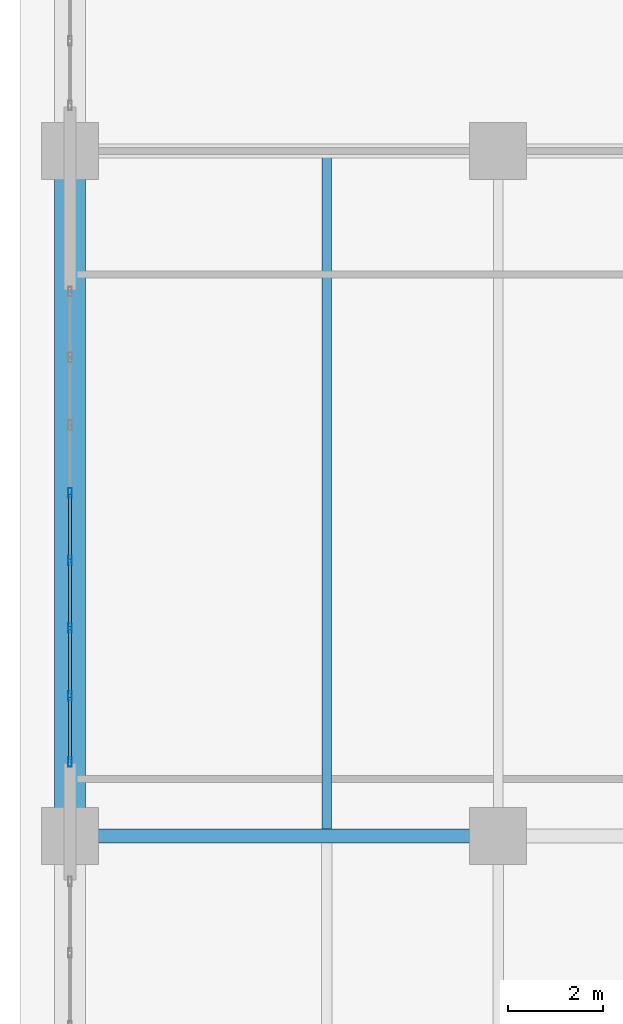
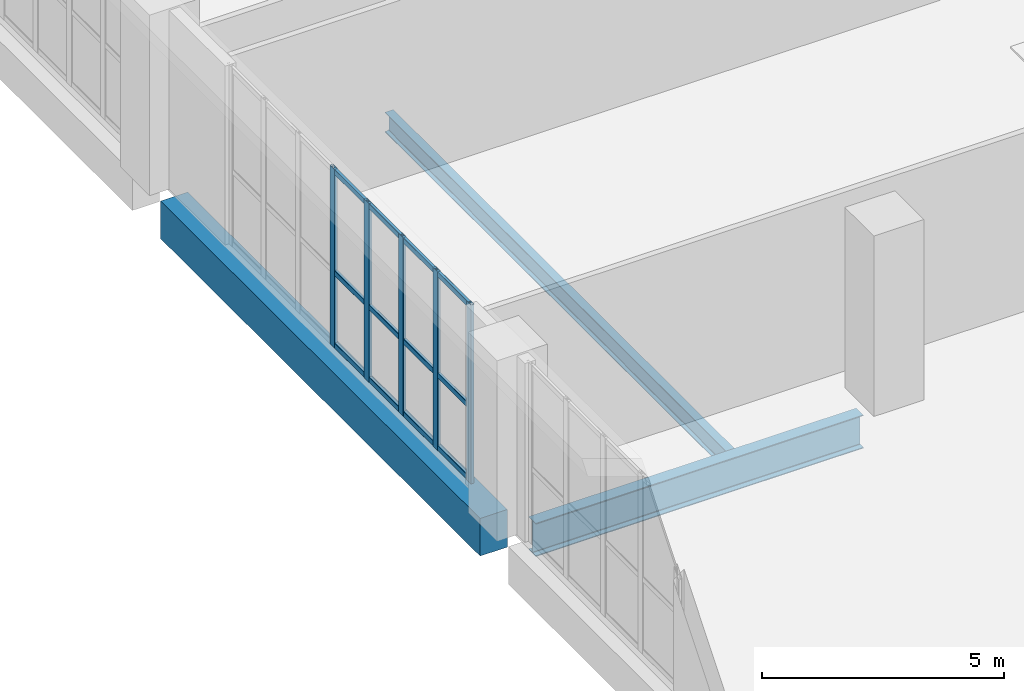
# One storey, part 7 of 37: 17 members, 3 beams, 1 element without a shape of its own.
"""IFC4 building model written with IfcOpenShell, lengths in metres."""

from ifc_helpers import new_model, si_unit, direction, frame, origin, origin_2d, place, context, subcontext, project, spatial, rectangle, hollow_rectangle, i_section, extrude, material, layer, layer_set, material_profile, profile_set, type_object, element, aggregate, save


model = new_model("IFC4")

# Units and contexts
model_context = context("Model", 3, precision=1e-05, world=origin(), true_north=direction((0.0, 1.0)))
body_context = subcontext(model_context, "Body", "Model", "MODEL_VIEW")
ifc_project = project(units=[si_unit("LENGTHUNIT", "METRE"), si_unit("AREAUNIT", "SQUARE_METRE"), si_unit("VOLUMEUNIT", "CUBIC_METRE"), si_unit("PLANEANGLEUNIT", "RADIAN"), si_unit("MASSUNIT", "GRAM", prefix="KILO")], contexts=[model_context])

# Site, building, storey
site_placement = place(None, origin())
site = spatial("IfcSite", under=ifc_project, at=site_placement, CompositionType="ELEMENT")
building_placement = place(site_placement, origin())
building = spatial("IfcBuilding", under=site, at=building_placement, Name="Kaelvorn Grand Hotel", CompositionType="ELEMENT")
storey_placement = place(building_placement, frame((0.0, 0.0, 130.550048828125)))
storey = spatial("IfcBuildingStorey", under=building, at=storey_placement, Name="L31", CompositionType="ELEMENT", Elevation=130.550048828125)

# Beams
ifc_material_1 = material(Name="Steel S355", Category="steel")
ifc_material_profile_1 = material_profile(ifc_material_1, i_section(OverallWidth=0.29248046875, OverallDepth=0.8408203125, WebThickness=0.0146484375, FlangeThickness=0.021728515625, FilletRadius=0.017822265625, at=origin_2d()), Name="UB 838x292x194")
ifc_profile_set_1 = profile_set([ifc_material_profile_1], Name="Steel S355")
beam_type_1 = type_object("IfcBeamType", Name="BM-G-UB838-S355", PredefinedType="BEAM", material=ifc_profile_set_1)
beam_1_placement = place(storey_placement, frame((0.5849609375, 15.0, -0.660400390625), z_axis=(1.0, 0.0, 0.0), x_axis=(0.0, 1.0, 0.0)))
element("IfcBeam", 1, at=beam_1_placement, inside=storey, type_object=beam_type_1, Name="L31 Primary Spine Steel Girder G-15 01", PredefinedType="BEAM", context=body_context, shape_type="SweptSolid", body=[
    extrude(i_section(OverallWidth=0.29248046875, OverallDepth=0.8408203125, WebThickness=0.0146484375, FlangeThickness=0.021728515625, FilletRadius=0.017822265625, at=origin_2d()), origin(), (0.0, 0.0, 1.0), 7.830078125),
])
ifc_material_profile_2 = material_profile(ifc_material_1, i_section(OverallWidth=0.199951171875, OverallDepth=0.5, WebThickness=0.01025390625, FlangeThickness=0.01611328125, FilletRadius=0.02099609375, at=origin_2d()), Name="IPE 500")
ifc_profile_set_2 = profile_set([ifc_material_profile_2], Name="Steel S355")
beam_type_2 = type_object("IfcBeamType", Name="BM-J-IPE500-S355", PredefinedType="JOIST", material=ifc_profile_set_2)
beam_2_placement = place(storey_placement, frame((5.39990234375, 15.131103515625, -0.489990234375), z_axis=(0.0, 1.0, 0.0), x_axis=(-1.0, 0.0, 0.0)))
element("IfcBeam", 2, at=beam_2_placement, inside=storey, type_object=beam_type_2, Name="L31 Composite Floor Joist JM-02", PredefinedType="JOIST", context=body_context, shape_type="SweptSolid", body=[
    extrude(i_section(OverallWidth=0.199951171875, OverallDepth=0.5, WebThickness=0.01025390625, FlangeThickness=0.01611328125, FilletRadius=0.02099609375, at=origin_2d()), origin(), (0.0, 0.0, 1.0), 14.1376953125),
])
ifc_material_2 = material(Name="Concrete C60/75", Category="concrete")
ifc_material_profile_3 = material_profile(ifc_material_2, rectangle(XDim=0.64990234375, YDim=0.949951171875, at=origin_2d()), Name="RC SPANDREL 650x950")
ifc_profile_set_3 = profile_set([ifc_material_profile_3], Name="Concrete C60/75")
beam_type_3 = type_object("IfcBeamType", Name="BM-SP-650x950-C60", PredefinedType="SPANDREL", material=ifc_profile_set_3)
beam_3_placement = place(storey_placement, frame((0.0, 15.5849609375, -0.715087890625), z_axis=(0.0, 1.0, 0.0), x_axis=(-1.0, 0.0, 0.0)))
element("IfcBeam", 3, at=beam_3_placement, inside=storey, type_object=beam_type_3, Name="L31 West Perimeter Spandrel 02", PredefinedType="SPANDREL", context=body_context, shape_type="SweptSolid", body=[
    extrude(rectangle(XDim=0.64990234375, YDim=0.949951171875, at=origin_2d()), origin(), (0.0, 0.0, 1.0), 13.22998046875),
])

# Curtain wall, members
ifc_material_3 = material(Name="Anodised Aluminium", Category="aluminium")
ifc_layer = layer(ifc_material_3, 0.199951171875)
ifc_layer_set = layer_set([ifc_layer], Name="Anodised Aluminium")
curtain_wall_type = type_object("IfcCurtainWallType", Name="CW-SYS3", PredefinedType="NOTDEFINED", material=ifc_layer_set)
curtain_wall_placement = place(storey_placement, origin())
curtain_wall = element("IfcCurtainWall", 4, at=curtain_wall_placement, inside=storey, type_object=curtain_wall_type, Name="L31 Unitised Curtain Wall CW3 (CW-L31-W-02)", PredefinedType="NOTDEFINED")
ifc_material_profile_4 = material_profile(ifc_material_3, hollow_rectangle(XDim=0.074951171875, YDim=0.199951171875, WallThickness=0.00390625, InnerFilletRadius=0.00390625, OuterFilletRadius=0.008056640625, at=origin_2d()), Name="ALU MULL 75x200")
ifc_profile_set_4 = profile_set([ifc_material_profile_4], Name="Anodised Aluminium")
member_type_1 = type_object("IfcMemberType", Name="CW-SYS3-MULL", PredefinedType="MULLION", material=ifc_profile_set_4)
member_1_placement = place(storey_placement, frame((0.0, 22.21142578125, 0.0), z_axis=(0.0, 0.0, 1.0), x_axis=(1.0, 0.0, 0.0)))
member_1 = element("IfcMember", 5, at=member_1_placement, type_object=member_type_1, Name="CW3 mullion 4", PredefinedType="MULLION", context=body_context, shape_type="SweptSolid", body=[
    extrude(hollow_rectangle(XDim=0.074951171875, YDim=0.199951171875, WallThickness=0.00390625, InnerFilletRadius=0.00390625, OuterFilletRadius=0.008056640625, at=origin_2d()), origin(), (0.0, 0.0, 1.0), 4.52001953125),
])
member_2_placement = place(storey_placement, frame((0.0, 20.78857421875, 0.0), z_axis=(0.0, 0.0, 1.0), x_axis=(1.0, 0.0, 0.0)))
member_2 = element("IfcMember", 6, at=member_2_placement, type_object=member_type_1, Name="CW3 mullion 5", PredefinedType="MULLION", context=body_context, shape_type="SweptSolid", body=[
    extrude(hollow_rectangle(XDim=0.074951171875, YDim=0.199951171875, WallThickness=0.00390625, InnerFilletRadius=0.00390625, OuterFilletRadius=0.008056640625, at=origin_2d()), origin(), (0.0, 0.0, 1.0), 4.52001953125),
])
member_3_placement = place(storey_placement, frame((0.0, 19.36572265625, 0.0), z_axis=(0.0, 0.0, 1.0), x_axis=(1.0, 0.0, 0.0)))
member_3 = element("IfcMember", 7, at=member_3_placement, type_object=member_type_1, Name="CW3 mullion 6", PredefinedType="MULLION", context=body_context, shape_type="SweptSolid", body=[
    extrude(hollow_rectangle(XDim=0.074951171875, YDim=0.199951171875, WallThickness=0.00390625, InnerFilletRadius=0.00390625, OuterFilletRadius=0.008056640625, at=origin_2d()), origin(), (0.0, 0.0, 1.0), 4.52001953125),
])
member_4_placement = place(storey_placement, frame((0.0, 17.94287109375, 0.0), z_axis=(0.0, 0.0, 1.0), x_axis=(1.0, 0.0, 0.0)))
member_4 = element("IfcMember", 8, at=member_4_placement, type_object=member_type_1, Name="CW3 mullion 7", PredefinedType="MULLION", context=body_context, shape_type="SweptSolid", body=[
    extrude(hollow_rectangle(XDim=0.074951171875, YDim=0.199951171875, WallThickness=0.00390625, InnerFilletRadius=0.00390625, OuterFilletRadius=0.008056640625, at=origin_2d()), origin(), (0.0, 0.0, 1.0), 4.52001953125),
])
member_5_placement = place(storey_placement, frame((0.0, 16.5576171875, 0.0), z_axis=(0.0, 0.0, 1.0), x_axis=(1.0, 0.0, 0.0)))
member_5 = element("IfcMember", 9, at=member_5_placement, type_object=member_type_1, Name="CW3 mullion 8", PredefinedType="MULLION", context=body_context, shape_type="SweptSolid", body=[
    extrude(hollow_rectangle(XDim=0.074951171875, YDim=0.199951171875, WallThickness=0.00390625, InnerFilletRadius=0.00390625, OuterFilletRadius=0.008056640625, at=origin_2d()), origin(), (0.0, 0.0, 1.0), 4.52001953125),
])
ifc_material_profile_5 = material_profile(ifc_material_3, hollow_rectangle(XDim=0.070068359375, YDim=0.135009765625, WallThickness=0.00341796875, InnerFilletRadius=0.00341796875, OuterFilletRadius=0.007080078125, at=origin_2d()), Name="ALU TRAN 70x135")
ifc_profile_set_5 = profile_set([ifc_material_profile_5], Name="Anodised Aluminium")
member_type_2 = type_object("IfcMemberType", Name="CW-SYS3-TRAN", PredefinedType="NOTDEFINED", material=ifc_profile_set_5)
member_6_placement = place(storey_placement, frame((0.0, 22.173828125, 0.0673828125), z_axis=(0.0, -1.0, 0.0), x_axis=(1.0, 0.0, 0.0)))
member_6 = element("IfcMember", 10, at=member_6_placement, type_object=member_type_2, Name="CW3 transom 4.1", ObjectType="TRANSOM", PredefinedType="USERDEFINED", context=body_context, shape_type="SweptSolid", body=[
    extrude(hollow_rectangle(XDim=0.070068359375, YDim=0.135009765625, WallThickness=0.00341796875, InnerFilletRadius=0.00341796875, OuterFilletRadius=0.007080078125, at=origin_2d()), origin(), (0.0, 0.0, 1.0), 1.34765625),
])
member_7_placement = place(storey_placement, frame((0.0, 22.173828125, 1.8984375), z_axis=(0.0, -1.0, 0.0), x_axis=(1.0, 0.0, 0.0)))
member_7 = element("IfcMember", 11, at=member_7_placement, type_object=member_type_2, Name="CW3 transom 4.2", ObjectType="TRANSOM", PredefinedType="USERDEFINED", context=body_context, shape_type="SweptSolid", body=[
    extrude(hollow_rectangle(XDim=0.070068359375, YDim=0.135009765625, WallThickness=0.00341796875, InnerFilletRadius=0.00341796875, OuterFilletRadius=0.007080078125, at=origin_2d()), origin(), (0.0, 0.0, 1.0), 1.34765625),
])
member_8_placement = place(storey_placement, frame((0.0, 22.173828125, 4.452392578125), z_axis=(0.0, -1.0, 0.0), x_axis=(1.0, 0.0, 0.0)))
member_8 = element("IfcMember", 12, at=member_8_placement, type_object=member_type_2, Name="CW3 transom 4.3", ObjectType="TRANSOM", PredefinedType="USERDEFINED", context=body_context, shape_type="SweptSolid", body=[
    extrude(hollow_rectangle(XDim=0.070068359375, YDim=0.135009765625, WallThickness=0.00341796875, InnerFilletRadius=0.00341796875, OuterFilletRadius=0.007080078125, at=origin_2d()), origin(), (0.0, 0.0, 1.0), 1.34765625),
])
member_9_placement = place(storey_placement, frame((0.0, 20.7509765625, 0.0673828125), z_axis=(0.0, -1.0, 0.0), x_axis=(1.0, 0.0, 0.0)))
member_9 = element("IfcMember", 13, at=member_9_placement, type_object=member_type_2, Name="CW3 transom 5.1", ObjectType="TRANSOM", PredefinedType="USERDEFINED", context=body_context, shape_type="SweptSolid", body=[
    extrude(hollow_rectangle(XDim=0.070068359375, YDim=0.135009765625, WallThickness=0.00341796875, InnerFilletRadius=0.00341796875, OuterFilletRadius=0.007080078125, at=origin_2d()), origin(), (0.0, 0.0, 1.0), 1.34765625),
])
member_10_placement = place(storey_placement, frame((0.0, 20.7509765625, 1.8984375), z_axis=(0.0, -1.0, 0.0), x_axis=(1.0, 0.0, 0.0)))
member_10 = element("IfcMember", 14, at=member_10_placement, type_object=member_type_2, Name="CW3 transom 5.2", ObjectType="TRANSOM", PredefinedType="USERDEFINED", context=body_context, shape_type="SweptSolid", body=[
    extrude(hollow_rectangle(XDim=0.070068359375, YDim=0.135009765625, WallThickness=0.00341796875, InnerFilletRadius=0.00341796875, OuterFilletRadius=0.007080078125, at=origin_2d()), origin(), (0.0, 0.0, 1.0), 1.34765625),
])
member_11_placement = place(storey_placement, frame((0.0, 20.7509765625, 4.452392578125), z_axis=(0.0, -1.0, 0.0), x_axis=(1.0, 0.0, 0.0)))
member_11 = element("IfcMember", 15, at=member_11_placement, type_object=member_type_2, Name="CW3 transom 5.3", ObjectType="TRANSOM", PredefinedType="USERDEFINED", context=body_context, shape_type="SweptSolid", body=[
    extrude(hollow_rectangle(XDim=0.070068359375, YDim=0.135009765625, WallThickness=0.00341796875, InnerFilletRadius=0.00341796875, OuterFilletRadius=0.007080078125, at=origin_2d()), origin(), (0.0, 0.0, 1.0), 1.34765625),
])
member_12_placement = place(storey_placement, frame((0.0, 19.328125, 0.0673828125), z_axis=(0.0, -1.0, 0.0), x_axis=(1.0, 0.0, 0.0)))
member_12 = element("IfcMember", 16, at=member_12_placement, type_object=member_type_2, Name="CW3 transom 6.1", ObjectType="TRANSOM", PredefinedType="USERDEFINED", context=body_context, shape_type="SweptSolid", body=[
    extrude(hollow_rectangle(XDim=0.070068359375, YDim=0.135009765625, WallThickness=0.00341796875, InnerFilletRadius=0.00341796875, OuterFilletRadius=0.007080078125, at=origin_2d()), origin(), (0.0, 0.0, 1.0), 1.34765625),
])
member_13_placement = place(storey_placement, frame((0.0, 19.328125, 1.8984375), z_axis=(0.0, -1.0, 0.0), x_axis=(1.0, 0.0, 0.0)))
member_13 = element("IfcMember", 17, at=member_13_placement, type_object=member_type_2, Name="CW3 transom 6.2", ObjectType="TRANSOM", PredefinedType="USERDEFINED", context=body_context, shape_type="SweptSolid", body=[
    extrude(hollow_rectangle(XDim=0.070068359375, YDim=0.135009765625, WallThickness=0.00341796875, InnerFilletRadius=0.00341796875, OuterFilletRadius=0.007080078125, at=origin_2d()), origin(), (0.0, 0.0, 1.0), 1.34765625),
])
member_14_placement = place(storey_placement, frame((0.0, 19.328125, 4.452392578125), z_axis=(0.0, -1.0, 0.0), x_axis=(1.0, 0.0, 0.0)))
member_14 = element("IfcMember", 18, at=member_14_placement, type_object=member_type_2, Name="CW3 transom 6.3", ObjectType="TRANSOM", PredefinedType="USERDEFINED", context=body_context, shape_type="SweptSolid", body=[
    extrude(hollow_rectangle(XDim=0.070068359375, YDim=0.135009765625, WallThickness=0.00341796875, InnerFilletRadius=0.00341796875, OuterFilletRadius=0.007080078125, at=origin_2d()), origin(), (0.0, 0.0, 1.0), 1.34765625),
])
member_15_placement = place(storey_placement, frame((0.0, 17.9052734375, 0.0673828125), z_axis=(0.0, -1.0, 0.0), x_axis=(1.0, 0.0, 0.0)))
member_15 = element("IfcMember", 19, at=member_15_placement, type_object=member_type_2, Name="CW3 transom 7.1", ObjectType="TRANSOM", PredefinedType="USERDEFINED", context=body_context, shape_type="SweptSolid", body=[
    extrude(hollow_rectangle(XDim=0.070068359375, YDim=0.135009765625, WallThickness=0.00341796875, InnerFilletRadius=0.00341796875, OuterFilletRadius=0.007080078125, at=origin_2d()), origin(), (0.0, 0.0, 1.0), 1.310302734375),
])
member_16_placement = place(storey_placement, frame((0.0, 17.9052734375, 1.8984375), z_axis=(0.0, -1.0, 0.0), x_axis=(1.0, 0.0, 0.0)))
member_16 = element("IfcMember", 20, at=member_16_placement, type_object=member_type_2, Name="CW3 transom 7.2", ObjectType="TRANSOM", PredefinedType="USERDEFINED", context=body_context, shape_type="SweptSolid", body=[
    extrude(hollow_rectangle(XDim=0.070068359375, YDim=0.135009765625, WallThickness=0.00341796875, InnerFilletRadius=0.00341796875, OuterFilletRadius=0.007080078125, at=origin_2d()), origin(), (0.0, 0.0, 1.0), 1.310302734375),
])
member_17_placement = place(storey_placement, frame((0.0, 17.9052734375, 4.452392578125), z_axis=(0.0, -1.0, 0.0), x_axis=(1.0, 0.0, 0.0)))
member_17 = element("IfcMember", 21, at=member_17_placement, type_object=member_type_2, Name="CW3 transom 7.3", ObjectType="TRANSOM", PredefinedType="USERDEFINED", context=body_context, shape_type="SweptSolid", body=[
    extrude(hollow_rectangle(XDim=0.070068359375, YDim=0.135009765625, WallThickness=0.00341796875, InnerFilletRadius=0.00341796875, OuterFilletRadius=0.007080078125, at=origin_2d()), origin(), (0.0, 0.0, 1.0), 1.310302734375),
])
aggregate(curtain_wall, [member_1, member_2, member_3, member_4, member_5, member_6, member_7, member_8, member_9, member_10, member_11, member_12, member_13, member_14, member_15, member_16, member_17])

save(model, "model.ifc")
